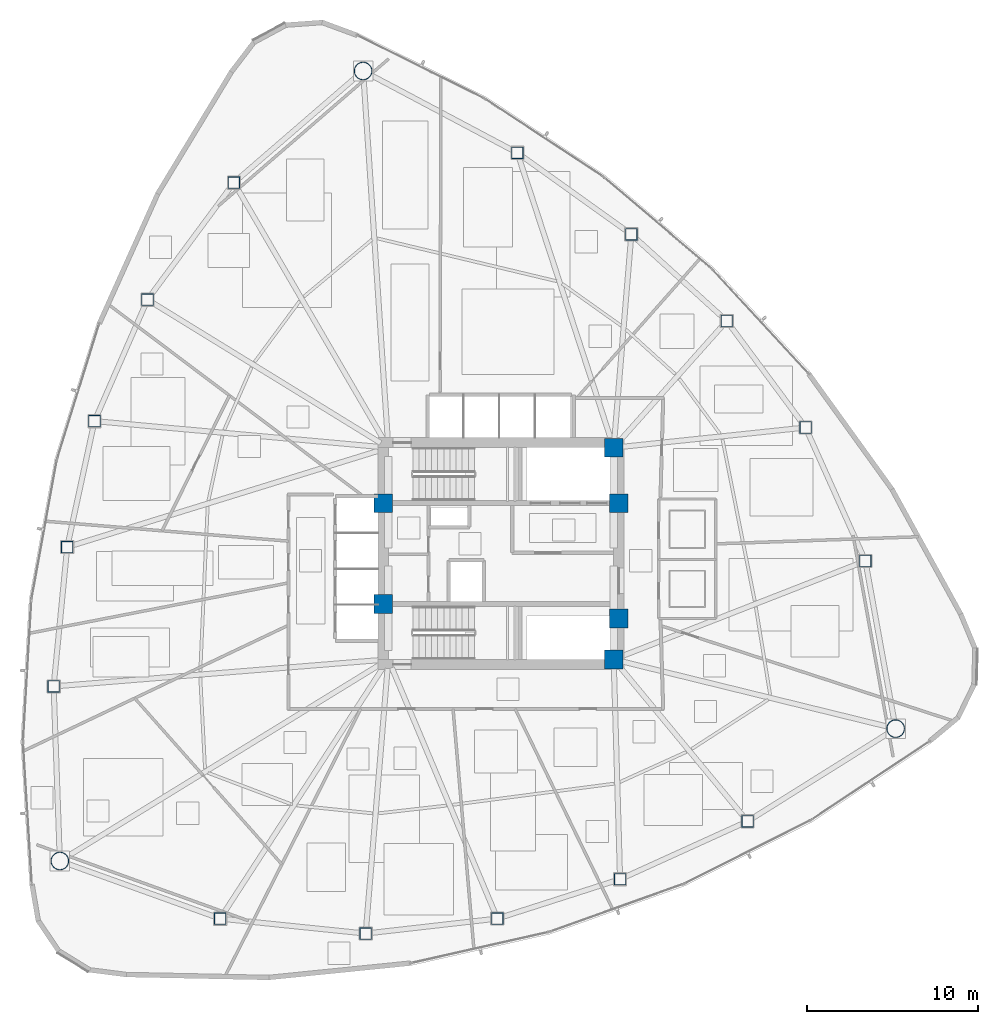
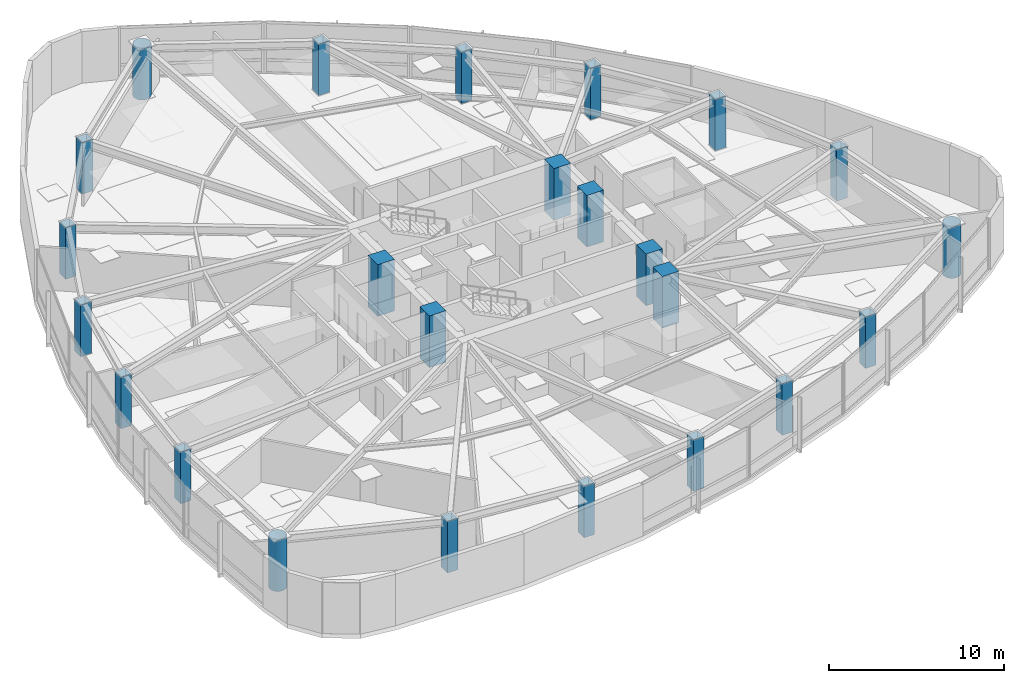
# One storey, part 1 of 17: 24 columns.
"""IFC4 building model written with IfcOpenShell, lengths in metres."""

import ifcopenshell
import ifcopenshell.guid

model = None  # the IFC model being written
_history = None  # IfcOwnerHistory: only IFC2X3 demands one
_inside = {}  # id of a spatial element -> (the spatial element, [elements in it])
_under = {}  # id of a project, library or spatial element -> (it, [spatial elements below it])
_declared = {}  # id of a project -> (the project, [libraries it declares])
_typed = {}  # id of a type object -> (the type object, [elements of that type])
_made_of = {}  # id of a material, layer set ... -> (it, [elements and type objects made of it])


def new_model(schema):
    """Start an empty IFC model of exactly this schema.

    Asked for "IFC4X3", IfcOpenShell would pick the latest addendum, in which some entities
    have other attributes; the version numbers below select the first issue.
    IFC2X3 requires an IfcOwnerHistory on every rooted entity: one is made here for all.
    """
    global model, _history
    if schema == "IFC4X3":
        model = ifcopenshell.file(schema_version=(4, 3, 0, 0))
    else:
        model = ifcopenshell.file(schema=schema)
    _inside.clear()
    _under.clear()
    _declared.clear()
    _typed.clear()
    _made_of.clear()
    _history = None
    if model.schema == "IFC2X3":
        org = make("IfcOrganization", Name="unknown")
        user = make(
            "IfcPersonAndOrganization",
            ThePerson=make("IfcPerson", FamilyName="unknown"),
            TheOrganization=org,
        )
        app = make(
            "IfcApplication",
            ApplicationDeveloper=org,
            Version="unknown",
            ApplicationFullName="unknown",
            ApplicationIdentifier="unknown",
        )
        _history = make(
            "IfcOwnerHistory",
            OwningUser=user,
            OwningApplication=app,
            ChangeAction="ADDED",
            CreationDate=0,
        )
    return model


def make(cls, **values):
    """One entity of the class cls with the attributes given. An attribute that is None is left unset."""
    return model.create_entity(
        cls, **{name: value for name, value in values.items() if value is not None}
    )


def rooted(cls, **values):
    """An entity with a GlobalId (a new one), such as an element, a storey or a relation."""
    return make(cls, GlobalId=ifcopenshell.guid.new(), OwnerHistory=_history, **values)


def si_unit(unit_type, name, prefix=None):
    """IfcSIUnit, for example si_unit("LENGTHUNIT", "METRE", prefix="MILLI")."""
    return make("IfcSIUnit", UnitType=unit_type, Prefix=prefix, Name=name)


def assignment(units):
    """IfcUnitAssignment: the units of a project."""
    return None if units is None else make("IfcUnitAssignment", Units=units)


def point(xyz):
    """IfcCartesianPoint."""
    return None if xyz is None else make("IfcCartesianPoint", Coordinates=xyz)


def direction(xyz):
    """IfcDirection."""
    return None if xyz is None else make("IfcDirection", DirectionRatios=xyz)


def frame(location, z_axis=None, x_axis=None):
    """IfcAxis2Placement3D, a coordinate frame: its origin and axes. An axis left out is left unset."""
    return make(
        "IfcAxis2Placement3D",
        Location=point(location),
        Axis=direction(z_axis),
        RefDirection=direction(x_axis),
    )


def frame_2d(location, x_axis=None):
    """IfcAxis2Placement2D, a coordinate frame in the plane: its origin and x axis."""
    return make(
        "IfcAxis2Placement2D", Location=point(location), RefDirection=direction(x_axis)
    )


def origin():
    """The frame at (0, 0, 0) with its axes left unset."""
    return frame((0.0, 0.0, 0.0))


def origin_2d():
    """The frame at (0, 0) in the plane with its x axis left unset."""
    return frame_2d((0.0, 0.0))


def place(relative_to, where):
    """IfcLocalPlacement: puts the frame where relative to a parent placement (None: the world)."""
    return make(
        "IfcLocalPlacement", PlacementRelTo=relative_to, RelativePlacement=where
    )


def context(
    kind, dimensions, precision=None, world=None, true_north=None, identifier=None
):
    """IfcGeometricRepresentationContext, for example the 3D "Model" context."""
    return make(
        "IfcGeometricRepresentationContext",
        ContextIdentifier=identifier,
        ContextType=kind,
        CoordinateSpaceDimension=dimensions,
        Precision=precision,
        WorldCoordinateSystem=world,
        TrueNorth=true_north,
    )


def subcontext(parent, identifier, kind, view, scale=None):
    """IfcGeometricRepresentationSubContext, for example "Body" below "Model"."""
    return make(
        "IfcGeometricRepresentationSubContext",
        ContextIdentifier=identifier,
        ContextType=kind,
        ParentContext=parent,
        TargetScale=scale,
        TargetView=view,
    )


def project(units=None, contexts=None):
    """IfcProject with its units and contexts."""
    return rooted(
        "IfcProject",
        Name="project",
        RepresentationContexts=contexts,
        UnitsInContext=assignment(units),
    )


def spatial(cls, under=None, at=None, **own):
    """A site, building, storey or space (cls), placed at a placement, below another one or the project."""
    s = rooted(cls, ObjectPlacement=at, **own)
    if under is not None:
        _under.setdefault(under.id(), (under, []))[1].append(s)
    return s


def profile(cls, at=None, kind="AREA", **sizes):
    """A parametric profile (cls). Its sizes go by their IFC names, for example OverallWidth=200.0."""
    return make(cls, ProfileType=kind, Position=at, **sizes)


def rectangle(**sizes):
    """IfcRectangleProfileDef."""
    return profile("IfcRectangleProfileDef", **sizes)


def hollow_rectangle(**sizes):
    """IfcRectangleHollowProfileDef."""
    return profile("IfcRectangleHollowProfileDef", **sizes)


def hollow_circle(**sizes):
    """IfcCircleHollowProfileDef."""
    return profile("IfcCircleHollowProfileDef", **sizes)


def extrude(swept, where, along, depth):
    """IfcExtrudedAreaSolid: the profile swept, set in the frame where, extruded along a direction by depth."""
    return make(
        "IfcExtrudedAreaSolid",
        SweptArea=swept,
        Position=where,
        ExtrudedDirection=direction(along),
        Depth=depth,
    )


def shape(context_of_items, identifier, shape_type, items):
    """IfcShapeRepresentation: the items that make up one representation, for example the "Body"."""
    return make(
        "IfcShapeRepresentation",
        ContextOfItems=context_of_items,
        RepresentationIdentifier=identifier,
        RepresentationType=shape_type,
        Items=items,
    )


def material(Name=None, Category=None):
    """IfcMaterial."""
    return make("IfcMaterial", Name=Name, Category=Category)


def material_profile(
    of_material, cross_section, Name=None, Category=None, Priority=None
):
    """IfcMaterialProfile: a cross section and its material."""
    return make(
        "IfcMaterialProfile",
        Name=Name,
        Material=of_material,
        Profile=cross_section,
        Priority=Priority,
        Category=Category,
    )


def profile_set(profiles, Name=None, composite=None):
    """IfcMaterialProfileSet."""
    return make(
        "IfcMaterialProfileSet",
        Name=Name,
        MaterialProfiles=profiles,
        CompositeProfile=composite,
    )


def made_of(thing, what):
    """Note that an element or type object is made of a material, layer set ...; save() writes the relation."""
    if what is not None:
        _made_of.setdefault(what.id(), (what, []))[1].append(thing)
    return thing


def type_object(cls, material=None, **own):
    """A type object (cls), such as IfcWallType, which elements share."""
    return made_of(rooted(cls, **own), material)


def element(
    cls,
    number,
    at=None,
    inside=None,
    cuts=None,
    type_object=None,
    material=None,
    context=None,
    identifier="Body",
    shape_type=None,
    held_by="IfcProductDefinitionShape",
    body=None,
    shapes=None,
    **own,
):
    """One element of the class cls, such as IfcWall. Its Tag is "e" and its number.

    at: its placement. inside: the storey or other place that contains it. cuts: it is an
    opening in that element (IfcRelVoidsElement). A single representation is given by context,
    identifier, shape_type and body (its items); several are given by shapes. held_by: the class
    of the entity that holds the representations. save() writes the other relations.
    """
    e = rooted(cls, Tag="e%d" % number, ObjectPlacement=at, **own)
    if body is not None:
        shapes = [shape(context, identifier, shape_type, body)]
    if shapes is not None:
        e.Representation = make(held_by, Representations=shapes)
    if inside is not None:
        _inside.setdefault(inside.id(), (inside, []))[1].append(e)
    if cuts is not None:
        rooted(
            "IfcRelVoidsElement", RelatingBuildingElement=cuts, RelatedOpeningElement=e
        )
    if type_object is not None:
        _typed.setdefault(type_object.id(), (type_object, []))[1].append(e)
    return made_of(e, material)


def aggregate(whole, parts):
    """IfcRelAggregates: a whole, such as a stair, and the parts it consists of."""
    return rooted("IfcRelAggregates", RelatingObject=whole, RelatedObjects=parts)


def save(model, path):
    """Write the relations noted so far, then the file.

    IfcRelAggregates (storeys below a building ...), IfcRelContainedInSpatialStructure (elements
    in a storey), IfcRelDefinesByType, IfcRelAssociatesMaterial and IfcRelDeclares: one each for
    every whole, place, type object, material and project.
    """
    for whole, parts in _under.values():
        aggregate(whole, parts)
    for where, things in _inside.values():
        rooted(
            "IfcRelContainedInSpatialStructure",
            RelatedElements=things,
            RelatingStructure=where,
        )
    for kind, things in _typed.values():
        rooted("IfcRelDefinesByType", RelatedObjects=things, RelatingType=kind)
    for what, things in _made_of.values():
        rooted("IfcRelAssociatesMaterial", RelatedObjects=things, RelatingMaterial=what)
    for by, libraries in _declared.values():
        rooted("IfcRelDeclares", RelatingContext=by, RelatedDefinitions=libraries)
    model.write(path)


model = new_model("IFC4")

# Units and contexts
model_context = context("Model", 3, precision=1e-05, world=origin(), true_north=direction((0.0, 1.0)))
body_context = subcontext(model_context, "Body", "Model", "MODEL_VIEW")
ifc_project = project(units=[si_unit("LENGTHUNIT", "METRE"), si_unit("AREAUNIT", "SQUARE_METRE"), si_unit("VOLUMEUNIT", "CUBIC_METRE"), si_unit("PLANEANGLEUNIT", "RADIAN"), si_unit("MASSUNIT", "GRAM", prefix="KILO")], contexts=[model_context])

# Site, building, storey
site_placement = place(None, origin())
site = spatial("IfcSite", under=ifc_project, at=site_placement, CompositionType="ELEMENT")
building_placement = place(site_placement, origin())
building = spatial("IfcBuilding", under=site, at=building_placement, Name="Tavelor Broadcast Tower", CompositionType="ELEMENT")
storey_placement = place(building_placement, frame((0.0, 0.0, 93.89990234375)))
storey = spatial("IfcBuildingStorey", under=building, at=storey_placement, Name="L22", CompositionType="ELEMENT", Elevation=93.89990234375)

# Columns
ifc_material_1 = material(Name="Concrete C60/75", Category="concrete")
ifc_material_profile_1 = material_profile(ifc_material_1, rectangle(XDim=1.10009765625, YDim=1.10009765625, at=origin_2d()), Name="RC 1100x1100")
ifc_profile_set_1 = profile_set([ifc_material_profile_1], Name="Concrete C60/75")
column_type_1 = type_object("IfcColumnType", Name="Core Embedded Composite Column RC1100", PredefinedType="COLUMN", material=ifc_profile_set_1)
for number, where, z_axis, x_axis, name in (
    (1, (43.10009765625, 47.949951171875, 0.0), (0.0, 0.0, 1.0), (1.0, 0.0, 0.0), "L22 Core Embedded Column 1"),
    (2, (56.89990234375, 47.949951171875, 0.0), (0.0, 0.0, 1.0), (1.0, 0.0, 0.0), "L22 Core Embedded Column 2"),
    (3, (56.60009765625, 51.199951171875, 0.0), (0.0, 0.0, 1.0), (1.0, 0.0, 0.0), "L22 Core Embedded Column 3"),
    (4, (43.10009765625, 42.050048828125, 0.0), (0.0, 0.0, 1.0), (1.0, 0.0, 0.0), "L22 Core Embedded Column 4"),
    (5, (56.89990234375, 41.199951171875, 0.0), (0.0, 0.0, 1.0), (1.0, 0.0, 0.0), "L22 Core Embedded Column 5"),
    (6, (56.60009765625, 38.800048828125, 0.0), (0.0, 0.0, 1.0), (1.0, 0.0, 0.0), "L22 Core Embedded Column 6"),
):
    element("IfcColumn", number, at=place(storey_placement, frame(where, z_axis=z_axis, x_axis=x_axis)), inside=storey, type_object=column_type_1, Name=name, PredefinedType="COLUMN", context=body_context, shape_type="SweptSolid", body=[
        extrude(rectangle(XDim=1.10009765625, YDim=1.10009765625, at=origin_2d()), origin(), (0.0, 0.0, 1.0), 3.60009765625),
    ])
ifc_material_2 = material(Name="Steel S460", Category="steel")
ifc_material_profile_2 = material_profile(ifc_material_2, hollow_rectangle(XDim=0.699951171875, YDim=0.699951171875, WallThickness=0.0400390625, at=origin_2d()), Name="SHS 700x700x40")
ifc_profile_set_2 = profile_set([ifc_material_profile_2], Name="Steel S460")
column_type_2 = type_object("IfcColumnType", Name="Perimeter Tube Column T2 SHS 700x700x40", PredefinedType="COLUMN", material=ifc_profile_set_2)
for number, where, z_axis, x_axis, name in (
    (7, (34.356201171875, 66.727783203125, 0.0), (0.0, 0.0, 1.0), (1.0, 0.0, 0.0), "L22 Perimeter Framed-Tube Column 02"),
    (8, (29.292236328125, 59.87158203125, 0.0), (0.0, 0.0, 1.0), (1.0, 0.0, 0.0), "L22 Perimeter Framed-Tube Column 03"),
    (9, (26.189208984375, 52.75830078125, 0.0), (0.0, 0.0, 1.0), (1.0, 0.0, 0.0), "L22 Perimeter Framed-Tube Column 04"),
    (10, (24.58984375, 45.380615234375, 0.0), (0.0, 0.0, 1.0), (1.0, 0.0, 0.0), "L22 Perimeter Framed-Tube Column 05"),
    (11, (23.794677734375, 37.21630859375, 0.0), (0.0, 0.0, 1.0), (1.0, 0.0, 0.0), "L22 Perimeter Framed-Tube Column 06"),
    (12, (33.55078125, 23.615478515625, 0.0), (0.0, 0.0, 1.0), (1.0, 0.0, 0.0), "L22 Perimeter Framed-Tube Column 08"),
    (13, (42.0732421875, 22.740478515625, 0.0), (0.0, 0.0, 1.0), (1.0, 0.0, 0.0), "L22 Perimeter Framed-Tube Column 09"),
    (14, (49.78662109375, 23.617919921875, 0.0), (0.0, 0.0, 1.0), (1.0, 0.0, 0.0), "L22 Perimeter Framed-Tube Column 10"),
    (15, (56.975341796875, 25.92138671875, 0.0), (0.0, 0.0, 1.0), (1.0, 0.0, 0.0), "L22 Perimeter Framed-Tube Column 11"),
    (16, (64.443603515625, 29.31494140625, 0.0), (0.0, 0.0, 1.0), (1.0, 0.0, 0.0), "L22 Perimeter Framed-Tube Column 12"),
    (17, (71.343994140625, 44.564697265625, 0.0), (0.0, 0.0, 1.0), (1.0, 0.0, 0.0), "L22 Perimeter Framed-Tube Column 14"),
    (18, (67.8408203125, 52.382568359375, 0.0), (0.0, 0.0, 1.0), (1.0, 0.0, 0.0), "L22 Perimeter Framed-Tube Column 15"),
    (19, (63.22412109375, 58.623779296875, 0.0), (0.0, 0.0, 1.0), (1.0, 0.0, 0.0), "L22 Perimeter Framed-Tube Column 16"),
    (20, (57.634765625, 63.69775390625, 0.0), (0.0, 0.0, 1.0), (1.0, 0.0, 0.0), "L22 Perimeter Framed-Tube Column 17"),
    (21, (50.9619140625, 68.468505859375, 0.0), (0.0, 0.0, 1.0), (1.0, 0.0, 0.0), "L22 Perimeter Framed-Tube Column 18"),
):
    element("IfcColumn", number, at=place(storey_placement, frame(where, z_axis=z_axis, x_axis=x_axis)), inside=storey, type_object=column_type_2, Name=name, PredefinedType="COLUMN", context=body_context, shape_type="SweptSolid", body=[
        extrude(hollow_rectangle(XDim=0.699951171875, YDim=0.699951171875, WallThickness=0.0400390625, at=origin_2d()), origin(), (0.0, 0.0, 1.0), 3.60009765625),
    ])
ifc_material_profile_3 = material_profile(ifc_material_2, hollow_circle(Radius=0.533447265625, WallThickness=0.044921875, at=origin_2d()), Name="CHS 1067x45")
ifc_profile_set_3 = profile_set([ifc_material_profile_3], Name="Steel S460")
column_type_3 = type_object("IfcColumnType", Name="Tower Mega Column T2 CHS 1067x45", PredefinedType="COLUMN", material=ifc_profile_set_3)
for number, where, z_axis, x_axis, name in (
    (22, (41.923095703125, 73.266357421875, 0.0), (0.0, 0.0, 1.0), (1.0, 0.0, 0.0), "L22 Tower Corner Mega Column 01"),
    (23, (24.1591796875, 26.98974609375, 0.0), (0.0, 0.0, 1.0), (1.0, 0.0, 0.0), "L22 Tower Corner Mega Column 07"),
    (24, (73.117919921875, 34.743896484375, 0.0), (0.0, 0.0, 1.0), (1.0, 0.0, 0.0), "L22 Tower Corner Mega Column 13"),
):
    element("IfcColumn", number, at=place(storey_placement, frame(where, z_axis=z_axis, x_axis=x_axis)), inside=storey, type_object=column_type_3, Name=name, PredefinedType="COLUMN", context=body_context, shape_type="SweptSolid", body=[
        extrude(hollow_circle(Radius=0.533447265625, WallThickness=0.044921875, at=origin_2d()), origin(), (0.0, 0.0, 1.0), 3.60009765625),
    ])

save(model, "model.ifc")
